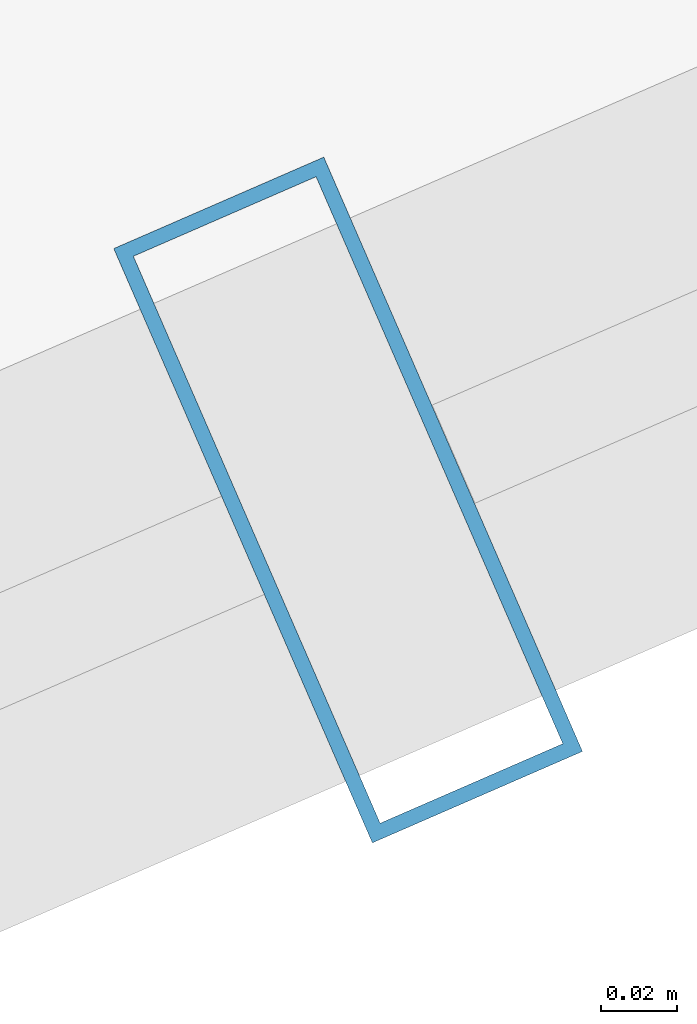
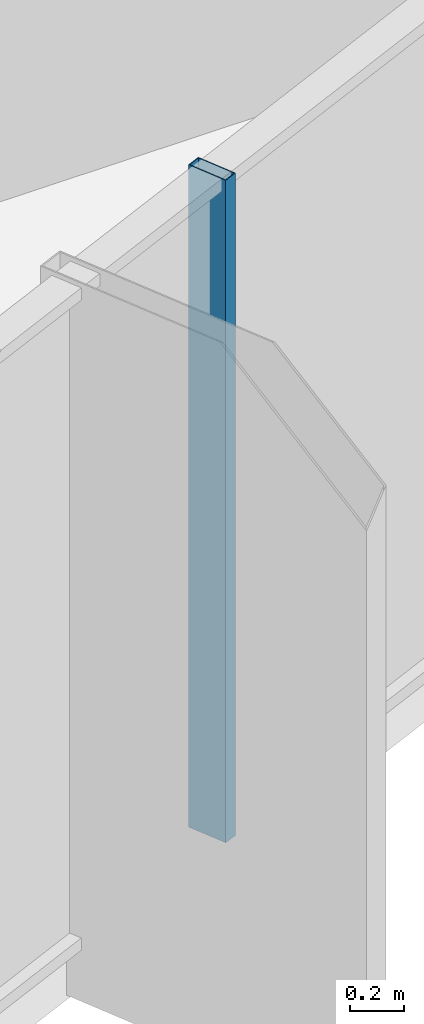
# One storey, part 8 of 29: 1 member, 1 element without a shape of its own.
"""IFC4 building model written with IfcOpenShell, lengths in metres."""

from ifc_helpers import new_model, si_unit, direction, frame, origin, origin_2d, place, context, subcontext, project, spatial, hollow_rectangle, extrude, source, transform, mapped, material, layer, layer_set, material_profile, profile_set, type_object, element, aggregate, save


model = new_model("IFC4")

# Units and contexts
model_context = context("Model", 3, precision=1e-05, world=origin(), true_north=direction((0.0, 1.0)))
body_context = subcontext(model_context, "Body", "Model", "MODEL_VIEW")
ifc_project = project(units=[si_unit("LENGTHUNIT", "METRE"), si_unit("AREAUNIT", "SQUARE_METRE"), si_unit("VOLUMEUNIT", "CUBIC_METRE"), si_unit("PLANEANGLEUNIT", "RADIAN"), si_unit("MASSUNIT", "GRAM", prefix="KILO")], contexts=[model_context])

# Site, building, storey
site_placement = place(None, origin())
site = spatial("IfcSite", under=ifc_project, at=site_placement, CompositionType="ELEMENT")
building_placement = place(site_placement, origin())
building = spatial("IfcBuilding", under=site, at=building_placement, Name="Veraguas Prism Commons", CompositionType="ELEMENT")
storey_placement = place(building_placement, frame((0.0, 0.0, 105.699951171875)))
storey = spatial("IfcBuildingStorey", under=building, at=storey_placement, Name="L29", CompositionType="ELEMENT", Elevation=105.699951171875)

# Curtain wall, member
ifc_material = material(Name="Anodised aluminium EN AW-6063 T6", Category="aluminium")
ifc_layer = layer(ifc_material, 0.169921875, Name="Unitised Flush Curtain Wall Zone 2", Category="aluminium")
ifc_layer_set = layer_set([ifc_layer], Name="Anodised aluminium EN AW-6063 T6")
curtain_wall_type = type_object("IfcCurtainWallType", Name="Unitised Flush Curtain Wall Zone 2", PredefinedType="NOTDEFINED", material=ifc_layer_set)
curtain_wall_placement = place(storey_placement, origin())
curtain_wall = element("IfcCurtainWall", 1, at=curtain_wall_placement, inside=storey, type_object=curtain_wall_type, Name="Tower Facade Curtain Wall L29-F5", PredefinedType="NOTDEFINED")
ifc_material_profile = material_profile(ifc_material, hollow_rectangle(XDim=0.06005859375, YDim=0.169921875, WallThickness=0.00390625, at=origin_2d()), Name="AL60X170X4")
ifc_profile_set = profile_set([ifc_material_profile], Name="Anodised aluminium EN AW-6063 T6")
member_type = type_object("IfcMemberType", Name="Curtain Wall Mullion Lower AL 60x170x4", PredefinedType="MULLION", material=ifc_profile_set)
shared_shape = source(origin(), body_context, "Body", "SweptSolid", [
    extrude(hollow_rectangle(XDim=0.06005859375, YDim=0.169921875, WallThickness=0.00390625, at=origin_2d()), origin(), (0.0, 0.0, 1.0), 2.969970703125),
])
member_placement = place(storey_placement, frame((35.605712890625, 8.130615234375, 0.0), z_axis=(0.0, 0.0, 1.0), x_axis=(0.916919435815, 0.399072359635, 0.0)))
member = element("IfcMember", 2, at=member_placement, type_object=member_type, Name="CW-Z2 Mullion 4", PredefinedType="MULLION", context=body_context, shape_type="MappedRepresentation", body=[
    mapped(shared_shape, transform((0.0, 0.0, 0.0), scale=1.0)),
])
aggregate(curtain_wall, [member])

save(model, "model.ifc")
